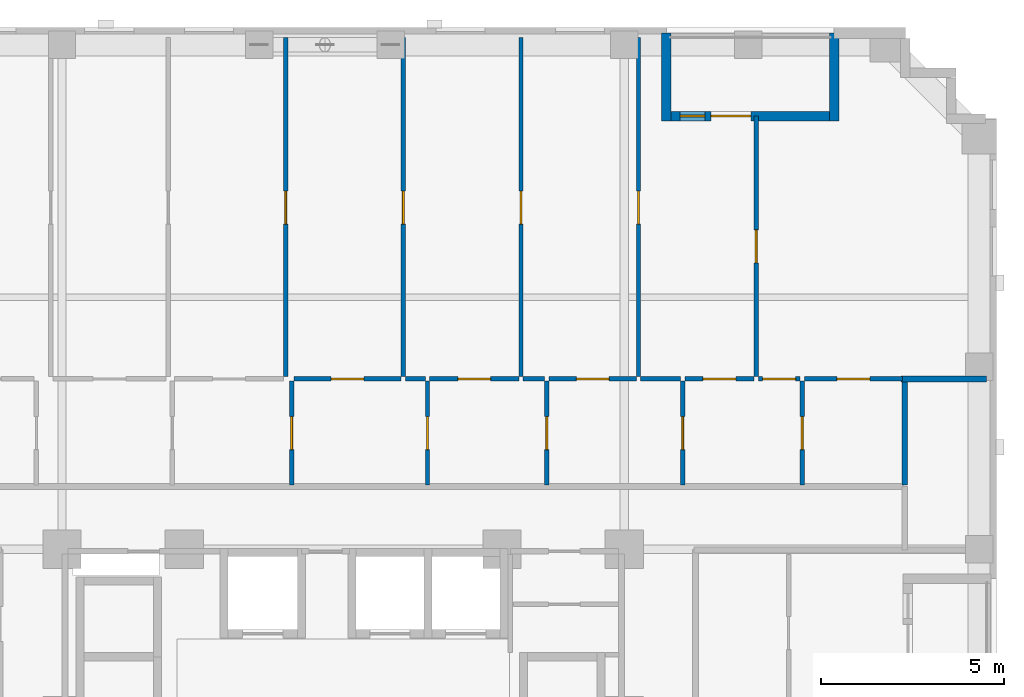
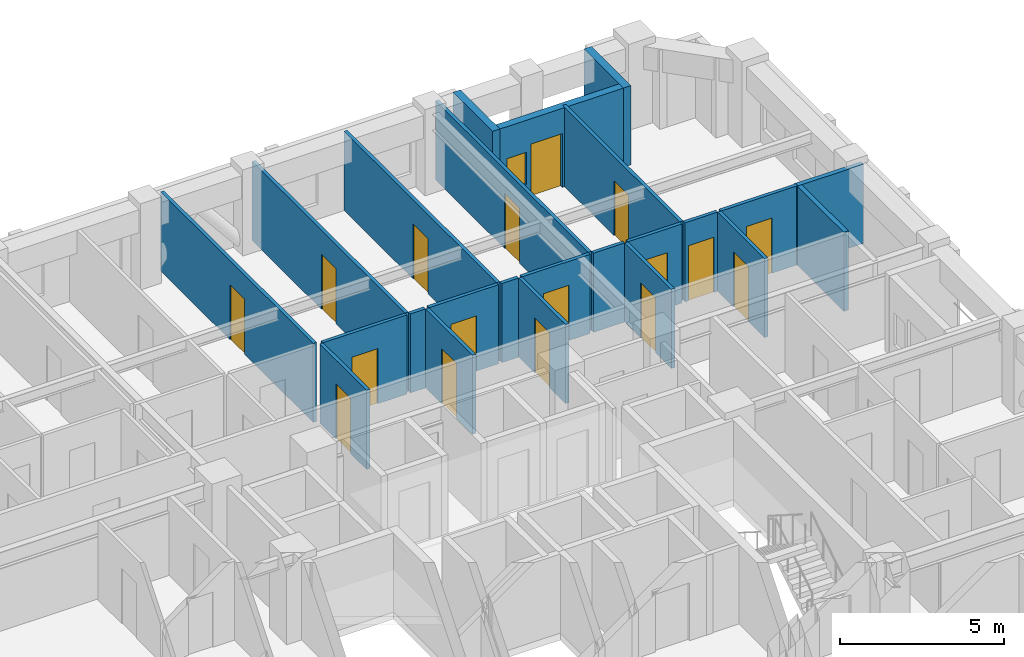
# One storey, part 8 of 13: 24 walls, 17 doors, 1 window, 18 openings.
"""IFC4 building model written with IfcOpenShell, lengths in metres."""

from ifc_helpers import new_model, si_unit, derived_unit, direction, frame, frame_2d, origin, place, context, subcontext, project, spatial, rectangle, extrude, material, layer, layer_set, type_object, element, fill, save


model = new_model("IFC4")

# Units and contexts
model_context = context("Model", 3, precision=1e-05, world=origin(), true_north=direction((0.0, 1.0)))
body_context = subcontext(model_context, "Body", "Model", "MODEL_VIEW")
ifc_project = project(units=[si_unit("LENGTHUNIT", "METRE"), si_unit("AREAUNIT", "SQUARE_METRE"), si_unit("VOLUMEUNIT", "CUBIC_METRE"), si_unit("PLANEANGLEUNIT", "RADIAN"), si_unit("MASSUNIT", "GRAM", prefix="KILO"), derived_unit("THERMALTRANSMITTANCEUNIT", [(si_unit("MASSUNIT", "GRAM", prefix="KILO"), 1), (si_unit("TIMEUNIT", "SECOND"), -3), (si_unit("THERMODYNAMICTEMPERATUREUNIT", "KELVIN"), -1)])], contexts=[model_context])

# Site, building, storey
site_placement = place(None, origin())
site = spatial("IfcSite", under=ifc_project, at=site_placement, CompositionType="ELEMENT")
building_placement = place(site_placement, origin())
building = spatial("IfcBuilding", under=site, at=building_placement, Name="Korrvale Station Residences", CompositionType="ELEMENT")
storey_placement = place(building_placement, frame((0.0, 0.0, 100.699951171875)))
storey = spatial("IfcBuildingStorey", under=building, at=storey_placement, Name="L28", CompositionType="ELEMENT", Elevation=100.699951171875)

# Wall
ifc_material_1 = material(Name="Precast concrete C45/55", Category="concrete")
ifc_layer_1 = layer(ifc_material_1, 0.260009765625, Name="Precast concrete C45/55")
ifc_layer_set_1 = layer_set([ifc_layer_1], Name="Precast concrete C45/55")
wall_type_1 = type_object("IfcWallType", Name="WAL-EXT-LOG260", PredefinedType="SOLIDWALL", material=ifc_layer_set_1)
wall_1_placement = place(storey_placement, frame((34.35009765625, 43.139892578125, 0.0), z_axis=(0.0, 0.0, 1.0), x_axis=(0.0, -1.0, 0.0)))
element("IfcWall", 1, at=wall_1_placement, inside=storey, type_object=wall_type_1, Name="L28 Recessed Loggia Wall BAL-L28-N1-L", PredefinedType="SOLIDWALL", context=body_context, shape_type="SweptSolid", body=[
    extrude(rectangle(XDim=2.39990234375, YDim=0.260009765625, at=frame_2d((1.199951171875, 0.0))), origin(), (0.0, 0.0, 1.0), 2.93994140625),
])

# Wall, openings, door, window
wall_2_placement = place(storey_placement, frame((34.48388671875, 40.8701171875, 0.0), z_axis=(0.0, 0.0, 1.0), x_axis=(1.0, 0.0, 0.0)))
wall_2 = element("IfcWall", 2, at=wall_2_placement, inside=storey, type_object=wall_type_1, Name="L28 Recessed Loggia Wall BAL-L28-N1-B", PredefinedType="SOLIDWALL", context=body_context, shape_type="SweptSolid", body=[
    extrude(rectangle(XDim=4.33203125, YDim=0.260009765625, at=frame_2d((2.166015625, 0.0))), origin(), (0.0, 0.0, 1.0), 2.93994140625),
])
opening_1_placement = place(wall_2_placement, frame((1.0859375, 0.0, 0.0)))
opening_1 = element("IfcOpeningElement", 3, at=opening_1_placement, cuts=wall_2, Name="Opening BD-01", PredefinedType="OPENING", context=body_context, shape_type="SweptSolid", body=[
    extrude(rectangle(XDim=1.10009765625, YDim=2.0, at=frame_2d((0.550048828125, 1.0))), frame((0.0, 0.14013671875, 0.0), z_axis=(0.0, -1.0, 0.0), x_axis=(1.0, 0.0, 0.0)), (0.0, 0.0, 1.0), 0.280029296875),
])
opening_2_placement = place(wall_2_placement, frame((0.24609375, 0.0, 0.550048828125)))
opening_2 = element("IfcOpeningElement", 4, at=opening_2_placement, cuts=wall_2, Name="Opening W-12", PredefinedType="OPENING", context=body_context, shape_type="SweptSolid", body=[
    extrude(rectangle(XDim=0.679931640625, YDim=1.199951171875, at=frame_2d((0.33984375, 0.60009765625))), frame((0.0, 0.14013671875, 0.0), z_axis=(0.0, -1.0, 0.0), x_axis=(1.0, 0.0, 0.0)), (0.0, 0.0, 1.0), 0.280029296875),
])
ifc_material_2 = material(Name="Exterior thermally broken aluminium glazed balcony door", Category="aluminium")
door_type_1 = type_object("IfcDoorType", Name="DR-EXT-BAL", OperationType="NOTDEFINED", PredefinedType="DOOR", material=ifc_material_2)
door_1_placement = place(opening_1_placement, origin())
door_1 = element("IfcDoor", 5, at=door_1_placement, inside=storey, type_object=door_type_1, Name="L28 Loggia Balcony Door BAL-L28-N1", OperationType="SINGLE_SWING_RIGHT", OverallHeight=2.0, OverallWidth=1.10009765625, PredefinedType="DOOR", context=body_context, shape_type="SweptSolid", body=[
    extrude(rectangle(XDim=1.10009765625, YDim=2.0, at=frame_2d((0.550048828125, 1.0))), frame((0.0, 0.02490234375, 0.0), z_axis=(0.0, -1.0, 0.0), x_axis=(1.0, 0.0, 0.0)), (0.0, 0.0, 1.0), 0.050048828125),
])
fill(opening_1, door_1)
ifc_material_3 = material(Name="Thermally broken aluminium frame with triple low-e glazing", Category="aluminium")
window_type = type_object("IfcWindowType", Name="WIN-W12", PartitioningType="SINGLE_PANEL", PredefinedType="WINDOW", material=ifc_material_3)
window_placement = place(opening_2_placement, origin())
window = element("IfcWindow", 6, at=window_placement, inside=storey, type_object=window_type, Name="L28 Punched Window 20", OverallHeight=1.199951171875, OverallWidth=0.679931640625, PartitioningType="SINGLE_PANEL", PredefinedType="WINDOW", context=body_context, shape_type="SweptSolid", body=[
    extrude(rectangle(XDim=0.679931640625, YDim=1.199951171875, at=frame_2d((0.33984375, 0.60009765625))), frame((0.0, 0.030029296875, 0.0), z_axis=(0.0, -1.0, 0.0), x_axis=(1.0, 0.0, 0.0)), (0.0, 0.0, 1.0), 0.06005859375),
])
fill(opening_2, window)

# Wall
wall_3_placement = place(storey_placement, frame((38.949951171875, 40.739990234375, 0.0), z_axis=(0.0, 0.0, 1.0), x_axis=(0.0, 1.0, 0.0)))
element("IfcWall", 7, at=wall_3_placement, inside=storey, type_object=wall_type_1, Name="L28 Recessed Loggia Wall BAL-L28-N1-R", PredefinedType="SOLIDWALL", context=body_context, shape_type="SweptSolid", body=[
    extrude(rectangle(XDim=2.39990234375, YDim=0.260009765625, at=frame_2d((1.199951171875, 0.0))), origin(), (0.0, 0.0, 1.0), 2.93994140625),
])

# Wall, opening, door
ifc_material_4 = material(Name="Acoustic steel-stud gypsum board partition", Category="steel")
ifc_layer_2 = layer(ifc_material_4, 0.1201171875, Name="Acoustic steel-stud gypsum board partition")
ifc_layer_set_2 = layer_set([ifc_layer_2], Name="Acoustic steel-stud gypsum board partition")
wall_type_2 = type_object("IfcWallType", Name="WAL-PART-125", PredefinedType="PARTITIONING", material=ifc_layer_set_2)
wall_4_placement = place(storey_placement, frame((24.090087890625, 30.760009765625, 0.0), z_axis=(0.0, 0.0, 1.0), x_axis=(0.0, 1.0, 0.0)))
wall_4 = element("IfcWall", 8, at=wall_4_placement, inside=storey, type_object=wall_type_2, Name="L28 Suite Partition U02-V34", PredefinedType="PARTITIONING", context=body_context, shape_type="SweptSolid", body=[
    extrude(rectangle(XDim=2.85009765625, YDim=0.1201171875, at=frame_2d((1.425048828125, 0.0))), origin(), (0.0, 0.0, 1.0), 2.93994140625),
])
opening_3_placement = place(wall_4_placement, frame((0.97509765625, 0.0, 0.0)))
opening_3 = element("IfcOpeningElement", 9, at=opening_3_placement, cuts=wall_4, Name="Opening DI-900", PredefinedType="OPENING", context=body_context, shape_type="SweptSolid", body=[
    extrude(rectangle(XDim=0.89990234375, YDim=2.050048828125, at=frame_2d((0.449951171875, 1.02490234375))), frame((0.0, 0.070068359375, 0.0), z_axis=(0.0, -1.0, 0.0), x_axis=(1.0, 0.0, 0.0)), (0.0, 0.0, 1.0), 0.14013671875),
])
ifc_material_5 = material(Name="Painted solid-core timber interior room door", Category="wood")
door_type_2 = type_object("IfcDoorType", Name="DR-INT-900", OperationType="NOTDEFINED", PredefinedType="DOOR", material=ifc_material_5)
door_2_placement = place(opening_3_placement, origin())
door_2 = element("IfcDoor", 10, at=door_2_placement, inside=storey, type_object=door_type_2, Name="L28 Studio Apartment L28-U02 Storage Closet 2 Door", OperationType="SINGLE_SWING_RIGHT", OverallHeight=2.050048828125, OverallWidth=0.89990234375, PredefinedType="DOOR", context=body_context, shape_type="SweptSolid", body=[
    extrude(rectangle(XDim=0.89990234375, YDim=2.050048828125, at=frame_2d((0.449951171875, 1.02490234375))), frame((0.0, 0.02490234375, 0.0), z_axis=(0.0, -1.0, 0.0), x_axis=(1.0, 0.0, 0.0)), (0.0, 0.0, 1.0), 0.050048828125),
])
fill(opening_3, door_2)

wall_5_placement = place(storey_placement, frame((27.81005859375, 30.760009765625, 0.0), z_axis=(0.0, 0.0, 1.0), x_axis=(0.0, 1.0, 0.0)))
wall_5 = element("IfcWall", 11, at=wall_5_placement, inside=storey, type_object=wall_type_2, Name="L28 Suite Partition U02-V45", PredefinedType="PARTITIONING", context=body_context, shape_type="SweptSolid", body=[
    extrude(rectangle(XDim=2.85009765625, YDim=0.1201171875, at=frame_2d((1.425048828125, 0.0))), origin(), (0.0, 0.0, 1.0), 2.93994140625),
])
opening_4_placement = place(wall_5_placement, frame((0.97509765625, 0.0, 0.0)))
opening_4 = element("IfcOpeningElement", 12, at=opening_4_placement, cuts=wall_5, Name="Opening DI-900", PredefinedType="OPENING", context=body_context, shape_type="SweptSolid", body=[
    extrude(rectangle(XDim=0.89990234375, YDim=2.050048828125, at=frame_2d((0.449951171875, 1.02490234375))), frame((0.0, 0.070068359375, 0.0), z_axis=(0.0, -1.0, 0.0), x_axis=(1.0, 0.0, 0.0)), (0.0, 0.0, 1.0), 0.14013671875),
])
door_3_placement = place(opening_4_placement, origin())
door_3 = element("IfcDoor", 13, at=door_3_placement, inside=storey, type_object=door_type_2, Name="L28 Studio Apartment L28-U02 Storage Closet 3 Door", OperationType="SINGLE_SWING_RIGHT", OverallHeight=2.050048828125, OverallWidth=0.89990234375, PredefinedType="DOOR", context=body_context, shape_type="SweptSolid", body=[
    extrude(rectangle(XDim=0.89990234375, YDim=2.050048828125, at=frame_2d((0.449951171875, 1.02490234375))), frame((0.0, 0.02490234375, 0.0), z_axis=(0.0, -1.0, 0.0), x_axis=(1.0, 0.0, 0.0)), (0.0, 0.0, 1.0), 0.050048828125),
])
fill(opening_4, door_3)

wall_6_placement = place(storey_placement, frame((24.14990234375, 33.669921875, 0.0), z_axis=(0.0, 0.0, 1.0), x_axis=(1.0, 0.0, 0.0)))
wall_6 = element("IfcWall", 14, at=wall_6_placement, inside=storey, type_object=wall_type_2, Name="L28 Suite Partition U02-H414", PredefinedType="PARTITIONING", context=body_context, shape_type="SweptSolid", body=[
    extrude(rectangle(XDim=2.940185546875, YDim=0.1201171875, at=frame_2d((1.47021484375, 0.0))), origin(), (0.0, 0.0, 1.0), 2.93994140625),
])
opening_5_placement = place(wall_6_placement, frame((1.02001953125, 0.0, 0.0)))
opening_5 = element("IfcOpeningElement", 15, at=opening_5_placement, cuts=wall_6, Name="Opening DI-900", PredefinedType="OPENING", context=body_context, shape_type="SweptSolid", body=[
    extrude(rectangle(XDim=0.89990234375, YDim=2.050048828125, at=frame_2d((0.449951171875, 1.02490234375))), frame((0.0, 0.070068359375, 0.0), z_axis=(0.0, -1.0, 0.0), x_axis=(1.0, 0.0, 0.0)), (0.0, 0.0, 1.0), 0.14013671875),
])
door_4_placement = place(opening_5_placement, origin())
door_4 = element("IfcDoor", 16, at=door_4_placement, inside=storey, type_object=door_type_2, Name="L28 Studio Apartment L28-U02 Storage Closet 3 Door", OperationType="SINGLE_SWING_LEFT", OverallHeight=2.050048828125, OverallWidth=0.89990234375, PredefinedType="DOOR", context=body_context, shape_type="SweptSolid", body=[
    extrude(rectangle(XDim=0.89990234375, YDim=2.050048828125, at=frame_2d((0.449951171875, 1.02490234375))), frame((0.0, 0.02490234375, 0.0), z_axis=(0.0, -1.0, 0.0), x_axis=(1.0, 0.0, 0.0)), (0.0, 0.0, 1.0), 0.050048828125),
])
fill(opening_5, door_4)

# Wall
wall_7_placement = place(storey_placement, frame((27.2099609375, 33.669921875, 0.0), z_axis=(0.0, 0.0, 1.0), x_axis=(1.0, 0.0, 0.0)))
element("IfcWall", 17, at=wall_7_placement, inside=storey, type_object=wall_type_2, Name="L28 Suite Partition U02-H415", PredefinedType="PARTITIONING", context=body_context, shape_type="SweptSolid", body=[
    extrude(rectangle(XDim=0.5400390625, YDim=0.1201171875, at=frame_2d((0.27001953125, 0.0))), origin(), (0.0, 0.0, 1.0), 2.93994140625),
])

# Wall, opening, door
wall_8_placement = place(storey_placement, frame((31.080078125, 30.760009765625, 0.0), z_axis=(0.0, 0.0, 1.0), x_axis=(0.0, 1.0, 0.0)))
wall_8 = element("IfcWall", 18, at=wall_8_placement, inside=storey, type_object=wall_type_2, Name="L28 Suite Partition U02-V56", PredefinedType="PARTITIONING", context=body_context, shape_type="SweptSolid", body=[
    extrude(rectangle(XDim=2.85009765625, YDim=0.1201171875, at=frame_2d((1.425048828125, 0.0))), origin(), (0.0, 0.0, 1.0), 2.93994140625),
])
opening_6_placement = place(wall_8_placement, frame((0.97509765625, 0.0, 0.0)))
opening_6 = element("IfcOpeningElement", 19, at=opening_6_placement, cuts=wall_8, Name="Opening DI-900", PredefinedType="OPENING", context=body_context, shape_type="SweptSolid", body=[
    extrude(rectangle(XDim=0.89990234375, YDim=2.050048828125, at=frame_2d((0.449951171875, 1.02490234375))), frame((0.0, 0.070068359375, 0.0), z_axis=(0.0, -1.0, 0.0), x_axis=(1.0, 0.0, 0.0)), (0.0, 0.0, 1.0), 0.14013671875),
])
door_5_placement = place(opening_6_placement, origin())
door_5 = element("IfcDoor", 20, at=door_5_placement, inside=storey, type_object=door_type_2, Name="L28 Studio Apartment L28-U02 Storage Closet 4 Door", OperationType="SINGLE_SWING_RIGHT", OverallHeight=2.050048828125, OverallWidth=0.89990234375, PredefinedType="DOOR", context=body_context, shape_type="SweptSolid", body=[
    extrude(rectangle(XDim=0.89990234375, YDim=2.050048828125, at=frame_2d((0.449951171875, 1.02490234375))), frame((0.0, 0.02490234375, 0.0), z_axis=(0.0, -1.0, 0.0), x_axis=(1.0, 0.0, 0.0)), (0.0, 0.0, 1.0), 0.050048828125),
])
fill(opening_6, door_5)

wall_9_placement = place(storey_placement, frame((27.8701171875, 33.669921875, 0.0), z_axis=(0.0, 0.0, 1.0), x_axis=(1.0, 0.0, 0.0)))
wall_9 = element("IfcWall", 21, at=wall_9_placement, inside=storey, type_object=wall_type_2, Name="L28 Suite Partition U02-H515", PredefinedType="PARTITIONING", context=body_context, shape_type="SweptSolid", body=[
    extrude(rectangle(XDim=2.43994140625, YDim=0.1201171875, at=frame_2d((1.219970703125, 0.0))), origin(), (0.0, 0.0, 1.0), 2.93994140625),
])
opening_7_placement = place(wall_9_placement, frame((0.77001953125, 0.0, 0.0)))
opening_7 = element("IfcOpeningElement", 22, at=opening_7_placement, cuts=wall_9, Name="Opening DI-900", PredefinedType="OPENING", context=body_context, shape_type="SweptSolid", body=[
    extrude(rectangle(XDim=0.89990234375, YDim=2.050048828125, at=frame_2d((0.449951171875, 1.02490234375))), frame((0.0, 0.070068359375, 0.0), z_axis=(0.0, -1.0, 0.0), x_axis=(1.0, 0.0, 0.0)), (0.0, 0.0, 1.0), 0.14013671875),
])
door_6_placement = place(opening_7_placement, origin())
door_6 = element("IfcDoor", 23, at=door_6_placement, inside=storey, type_object=door_type_2, Name="L28 Studio Apartment L28-U02 Storage Closet 4 Door", OperationType="SINGLE_SWING_LEFT", OverallHeight=2.050048828125, OverallWidth=0.89990234375, PredefinedType="DOOR", context=body_context, shape_type="SweptSolid", body=[
    extrude(rectangle(XDim=0.89990234375, YDim=2.050048828125, at=frame_2d((0.449951171875, 1.02490234375))), frame((0.0, 0.02490234375, 0.0), z_axis=(0.0, -1.0, 0.0), x_axis=(1.0, 0.0, 0.0)), (0.0, 0.0, 1.0), 0.050048828125),
])
fill(opening_7, door_6)

# Wall
wall_10_placement = place(storey_placement, frame((30.429931640625, 33.669921875, 0.0), z_axis=(0.0, 0.0, 1.0), x_axis=(1.0, 0.0, 0.0)))
element("IfcWall", 24, at=wall_10_placement, inside=storey, type_object=wall_type_2, Name="L28 Suite Partition U02-H516", PredefinedType="PARTITIONING", context=body_context, shape_type="SweptSolid", body=[
    extrude(rectangle(XDim=0.590087890625, YDim=0.1201171875, at=frame_2d((0.294921875, 0.0))), origin(), (0.0, 0.0, 1.0), 2.93994140625),
])

# Wall, opening, door
wall_11_placement = place(storey_placement, frame((34.800048828125, 30.760009765625, 0.0), z_axis=(0.0, 0.0, 1.0), x_axis=(0.0, 1.0, 0.0)))
wall_11 = element("IfcWall", 25, at=wall_11_placement, inside=storey, type_object=wall_type_2, Name="L28 Suite Partition U02-V67", PredefinedType="PARTITIONING", context=body_context, shape_type="SweptSolid", body=[
    extrude(rectangle(XDim=2.85009765625, YDim=0.1201171875, at=frame_2d((1.425048828125, 0.0))), origin(), (0.0, 0.0, 1.0), 2.93994140625),
])
opening_8_placement = place(wall_11_placement, frame((0.97509765625, 0.0, 0.0)))
opening_8 = element("IfcOpeningElement", 26, at=opening_8_placement, cuts=wall_11, Name="Opening DI-900", PredefinedType="OPENING", context=body_context, shape_type="SweptSolid", body=[
    extrude(rectangle(XDim=0.89990234375, YDim=2.050048828125, at=frame_2d((0.449951171875, 1.02490234375))), frame((0.0, 0.070068359375, 0.0), z_axis=(0.0, -1.0, 0.0), x_axis=(1.0, 0.0, 0.0)), (0.0, 0.0, 1.0), 0.14013671875),
])
door_7_placement = place(opening_8_placement, origin())
door_7 = element("IfcDoor", 27, at=door_7_placement, inside=storey, type_object=door_type_2, Name="L28 Studio Apartment L28-U02 Storage Closet 5 Door", OperationType="SINGLE_SWING_RIGHT", OverallHeight=2.050048828125, OverallWidth=0.89990234375, PredefinedType="DOOR", context=body_context, shape_type="SweptSolid", body=[
    extrude(rectangle(XDim=0.89990234375, YDim=2.050048828125, at=frame_2d((0.449951171875, 1.02490234375))), frame((0.0, 0.02490234375, 0.0), z_axis=(0.0, -1.0, 0.0), x_axis=(1.0, 0.0, 0.0)), (0.0, 0.0, 1.0), 0.050048828125),
])
fill(opening_8, door_7)

wall_12_placement = place(storey_placement, frame((31.139892578125, 33.669921875, 0.0), z_axis=(0.0, 0.0, 1.0), x_axis=(1.0, 0.0, 0.0)))
wall_12 = element("IfcWall", 28, at=wall_12_placement, inside=storey, type_object=wall_type_2, Name="L28 Suite Partition U02-H616", PredefinedType="PARTITIONING", context=body_context, shape_type="SweptSolid", body=[
    extrude(rectangle(XDim=2.39013671875, YDim=0.1201171875, at=frame_2d((1.195068359375, 0.0))), origin(), (0.0, 0.0, 1.0), 2.93994140625),
])
opening_9_placement = place(wall_12_placement, frame((0.7451171875, 0.0, 0.0)))
opening_9 = element("IfcOpeningElement", 29, at=opening_9_placement, cuts=wall_12, Name="Opening DI-900", PredefinedType="OPENING", context=body_context, shape_type="SweptSolid", body=[
    extrude(rectangle(XDim=0.89990234375, YDim=2.050048828125, at=frame_2d((0.449951171875, 1.02490234375))), frame((0.0, 0.070068359375, 0.0), z_axis=(0.0, -1.0, 0.0), x_axis=(1.0, 0.0, 0.0)), (0.0, 0.0, 1.0), 0.14013671875),
])
door_8_placement = place(opening_9_placement, origin())
door_8 = element("IfcDoor", 30, at=door_8_placement, inside=storey, type_object=door_type_2, Name="L28 Studio Apartment L28-U02 Storage Closet 5 Door", OperationType="SINGLE_SWING_LEFT", OverallHeight=2.050048828125, OverallWidth=0.89990234375, PredefinedType="DOOR", context=body_context, shape_type="SweptSolid", body=[
    extrude(rectangle(XDim=0.89990234375, YDim=2.050048828125, at=frame_2d((0.449951171875, 1.02490234375))), frame((0.0, 0.02490234375, 0.0), z_axis=(0.0, -1.0, 0.0), x_axis=(1.0, 0.0, 0.0)), (0.0, 0.0, 1.0), 0.050048828125),
])
fill(opening_9, door_8)

# Wall
wall_13_placement = place(storey_placement, frame((33.64990234375, 33.669921875, 0.0), z_axis=(0.0, 0.0, 1.0), x_axis=(1.0, 0.0, 0.0)))
element("IfcWall", 31, at=wall_13_placement, inside=storey, type_object=wall_type_2, Name="L28 Suite Partition U02-H617", PredefinedType="PARTITIONING", context=body_context, shape_type="SweptSolid", body=[
    extrude(rectangle(XDim=1.090087890625, YDim=0.1201171875, at=frame_2d((0.544921875, 0.0))), origin(), (0.0, 0.0, 1.0), 2.93994140625),
])

# Wall, opening, door
wall_14_placement = place(storey_placement, frame((38.070068359375, 30.760009765625, 0.0), z_axis=(0.0, 0.0, 1.0), x_axis=(0.0, 1.0, 0.0)))
wall_14 = element("IfcWall", 32, at=wall_14_placement, inside=storey, type_object=wall_type_2, Name="L28 Suite Partition U02-V78", PredefinedType="PARTITIONING", context=body_context, shape_type="SweptSolid", body=[
    extrude(rectangle(XDim=2.85009765625, YDim=0.1201171875, at=frame_2d((1.425048828125, 0.0))), origin(), (0.0, 0.0, 1.0), 2.93994140625),
])
opening_10_placement = place(wall_14_placement, frame((0.97509765625, 0.0, 0.0)))
opening_10 = element("IfcOpeningElement", 33, at=opening_10_placement, cuts=wall_14, Name="Opening DI-900", PredefinedType="OPENING", context=body_context, shape_type="SweptSolid", body=[
    extrude(rectangle(XDim=0.89990234375, YDim=2.050048828125, at=frame_2d((0.449951171875, 1.02490234375))), frame((0.0, 0.070068359375, 0.0), z_axis=(0.0, -1.0, 0.0), x_axis=(1.0, 0.0, 0.0)), (0.0, 0.0, 1.0), 0.14013671875),
])
door_9_placement = place(opening_10_placement, origin())
door_9 = element("IfcDoor", 34, at=door_9_placement, inside=storey, type_object=door_type_2, Name="L28 Studio Apartment L28-U02 Storage Closet 6 Door", OperationType="SINGLE_SWING_RIGHT", OverallHeight=2.050048828125, OverallWidth=0.89990234375, PredefinedType="DOOR", context=body_context, shape_type="SweptSolid", body=[
    extrude(rectangle(XDim=0.89990234375, YDim=2.050048828125, at=frame_2d((0.449951171875, 1.02490234375))), frame((0.0, 0.02490234375, 0.0), z_axis=(0.0, -1.0, 0.0), x_axis=(1.0, 0.0, 0.0)), (0.0, 0.0, 1.0), 0.050048828125),
])
fill(opening_10, door_9)

wall_15_placement = place(storey_placement, frame((34.860107421875, 33.669921875, 0.0), z_axis=(0.0, 0.0, 1.0), x_axis=(1.0, 0.0, 0.0)))
wall_15 = element("IfcWall", 35, at=wall_15_placement, inside=storey, type_object=wall_type_2, Name="L28 Suite Partition U02-H717", PredefinedType="PARTITIONING", context=body_context, shape_type="SweptSolid", body=[
    extrude(rectangle(XDim=1.889892578125, YDim=0.1201171875, at=frame_2d((0.94482421875, 0.0))), origin(), (0.0, 0.0, 1.0), 2.93994140625),
])
opening_11_placement = place(wall_15_placement, frame((0.4951171875, 0.0, 0.0)))
opening_11 = element("IfcOpeningElement", 36, at=opening_11_placement, cuts=wall_15, Name="Opening DI-900", PredefinedType="OPENING", context=body_context, shape_type="SweptSolid", body=[
    extrude(rectangle(XDim=0.89990234375, YDim=2.050048828125, at=frame_2d((0.449951171875, 1.02490234375))), frame((0.0, 0.070068359375, 0.0), z_axis=(0.0, -1.0, 0.0), x_axis=(1.0, 0.0, 0.0)), (0.0, 0.0, 1.0), 0.14013671875),
])
door_10_placement = place(opening_11_placement, origin())
door_10 = element("IfcDoor", 37, at=door_10_placement, inside=storey, type_object=door_type_2, Name="L28 Studio Apartment L28-U02 Storage Closet 6 Door", OperationType="SINGLE_SWING_LEFT", OverallHeight=2.050048828125, OverallWidth=0.89990234375, PredefinedType="DOOR", context=body_context, shape_type="SweptSolid", body=[
    extrude(rectangle(XDim=0.89990234375, YDim=2.050048828125, at=frame_2d((0.449951171875, 1.02490234375))), frame((0.0, 0.02490234375, 0.0), z_axis=(0.0, -1.0, 0.0), x_axis=(1.0, 0.0, 0.0)), (0.0, 0.0, 1.0), 0.050048828125),
])
fill(opening_11, door_10)

wall_16_placement = place(storey_placement, frame((36.8701171875, 33.669921875, 0.0), z_axis=(0.0, 0.0, 1.0), x_axis=(1.0, 0.0, 0.0)))
wall_16 = element("IfcWall", 38, at=wall_16_placement, inside=storey, type_object=wall_type_2, Name="L28 Suite Partition U02-H718", PredefinedType="PARTITIONING", context=body_context, shape_type="SweptSolid", body=[
    extrude(rectangle(XDim=1.139892578125, YDim=0.1201171875, at=frame_2d((0.56982421875, 0.0))), origin(), (0.0, 0.0, 1.0), 2.93994140625),
])
opening_12_placement = place(wall_16_placement, frame((0.1201171875, 0.0, 0.0)))
opening_12 = element("IfcOpeningElement", 39, at=opening_12_placement, cuts=wall_16, Name="Opening DI-900", PredefinedType="OPENING", context=body_context, shape_type="SweptSolid", body=[
    extrude(rectangle(XDim=0.89990234375, YDim=2.050048828125, at=frame_2d((0.449951171875, 1.02490234375))), frame((0.0, 0.070068359375, 0.0), z_axis=(0.0, -1.0, 0.0), x_axis=(1.0, 0.0, 0.0)), (0.0, 0.0, 1.0), 0.14013671875),
])
door_11_placement = place(opening_12_placement, origin())
door_11 = element("IfcDoor", 40, at=door_11_placement, inside=storey, type_object=door_type_2, Name="L28 Studio Apartment L28-U02 Storage Closet 6 Door", OperationType="SINGLE_SWING_RIGHT", OverallHeight=2.050048828125, OverallWidth=0.89990234375, PredefinedType="DOOR", context=body_context, shape_type="SweptSolid", body=[
    extrude(rectangle(XDim=0.89990234375, YDim=2.050048828125, at=frame_2d((0.449951171875, 1.02490234375))), frame((0.0, 0.02490234375, 0.0), z_axis=(0.0, -1.0, 0.0), x_axis=(1.0, 0.0, 0.0)), (0.0, 0.0, 1.0), 0.050048828125),
])
fill(opening_12, door_11)

wall_17_placement = place(storey_placement, frame((38.1298828125, 33.669921875, 0.0), z_axis=(0.0, 0.0, 1.0), x_axis=(1.0, 0.0, 0.0)))
wall_17 = element("IfcWall", 41, at=wall_17_placement, inside=storey, type_object=wall_type_2, Name="L28 Suite Partition U02-H818", PredefinedType="PARTITIONING", context=body_context, shape_type="SweptSolid", body=[
    extrude(rectangle(XDim=2.690185546875, YDim=0.1201171875, at=frame_2d((1.34521484375, 0.0))), origin(), (0.0, 0.0, 1.0), 2.93994140625),
])
opening_13_placement = place(wall_17_placement, frame((0.89501953125, 0.0, 0.0)))
opening_13 = element("IfcOpeningElement", 42, at=opening_13_placement, cuts=wall_17, Name="Opening DI-900", PredefinedType="OPENING", context=body_context, shape_type="SweptSolid", body=[
    extrude(rectangle(XDim=0.89990234375, YDim=2.050048828125, at=frame_2d((0.449951171875, 1.02490234375))), frame((0.0, 0.070068359375, 0.0), z_axis=(0.0, -1.0, 0.0), x_axis=(1.0, 0.0, 0.0)), (0.0, 0.0, 1.0), 0.14013671875),
])
door_12_placement = place(opening_13_placement, origin())
door_12 = element("IfcDoor", 43, at=door_12_placement, inside=storey, type_object=door_type_2, Name="L28 Studio Apartment L28-U02 Storage Closet 7 Door", OperationType="SINGLE_SWING_LEFT", OverallHeight=2.050048828125, OverallWidth=0.89990234375, PredefinedType="DOOR", context=body_context, shape_type="SweptSolid", body=[
    extrude(rectangle(XDim=0.89990234375, YDim=2.050048828125, at=frame_2d((0.449951171875, 1.02490234375))), frame((0.0, 0.02490234375, 0.0), z_axis=(0.0, -1.0, 0.0), x_axis=(1.0, 0.0, 0.0)), (0.0, 0.0, 1.0), 0.050048828125),
])
fill(opening_13, door_12)

wall_18_placement = place(storey_placement, frame((23.929931640625, 33.72998046875, 0.0), z_axis=(0.0, 0.0, 1.0), x_axis=(0.0, 1.0, 0.0)))
wall_18 = element("IfcWall", 44, at=wall_18_placement, inside=storey, type_object=wall_type_2, Name="L28 Suite Partition U02-V1314", PredefinedType="PARTITIONING", context=body_context, shape_type="SweptSolid", body=[
    extrude(rectangle(XDim=9.2900390625, YDim=0.1201171875, at=frame_2d((4.64501953125, 0.0))), origin(), (0.0, 0.0, 1.0), 2.93994140625),
])
opening_14_placement = place(wall_18_placement, frame((4.179931640625, 0.0, 0.0)))
opening_14 = element("IfcOpeningElement", 45, at=opening_14_placement, cuts=wall_18, Name="Opening DI-900", PredefinedType="OPENING", context=body_context, shape_type="SweptSolid", body=[
    extrude(rectangle(XDim=0.89990234375, YDim=2.050048828125, at=frame_2d((0.449951171875, 1.02490234375))), frame((0.0, 0.070068359375, 0.0), z_axis=(0.0, -1.0, 0.0), x_axis=(1.0, 0.0, 0.0)), (0.0, 0.0, 1.0), 0.14013671875),
])
door_13_placement = place(opening_14_placement, origin())
door_13 = element("IfcDoor", 46, at=door_13_placement, inside=storey, type_object=door_type_2, Name="L28 Studio Apartment L28-U02 Formal Dining Room Door", OperationType="SINGLE_SWING_RIGHT", OverallHeight=2.050048828125, OverallWidth=0.89990234375, PredefinedType="DOOR", context=body_context, shape_type="SweptSolid", body=[
    extrude(rectangle(XDim=0.89990234375, YDim=2.050048828125, at=frame_2d((0.449951171875, 1.02490234375))), frame((0.0, 0.02490234375, 0.0), z_axis=(0.0, -1.0, 0.0), x_axis=(1.0, 0.0, 0.0)), (0.0, 0.0, 1.0), 0.050048828125),
])
fill(opening_14, door_13)

wall_19_placement = place(storey_placement, frame((27.14990234375, 33.72998046875, 0.0), z_axis=(0.0, 0.0, 1.0), x_axis=(0.0, 1.0, 0.0)))
wall_19 = element("IfcWall", 47, at=wall_19_placement, inside=storey, type_object=wall_type_2, Name="L28 Suite Partition U02-V1415", PredefinedType="PARTITIONING", context=body_context, shape_type="SweptSolid", body=[
    extrude(rectangle(XDim=9.2900390625, YDim=0.1201171875, at=frame_2d((4.64501953125, 0.0))), origin(), (0.0, 0.0, 1.0), 2.93994140625),
])
opening_15_placement = place(wall_19_placement, frame((4.179931640625, 0.0, 0.0)))
opening_15 = element("IfcOpeningElement", 48, at=opening_15_placement, cuts=wall_19, Name="Opening DI-900", PredefinedType="OPENING", context=body_context, shape_type="SweptSolid", body=[
    extrude(rectangle(XDim=0.89990234375, YDim=2.050048828125, at=frame_2d((0.449951171875, 1.02490234375))), frame((0.0, 0.070068359375, 0.0), z_axis=(0.0, -1.0, 0.0), x_axis=(1.0, 0.0, 0.0)), (0.0, 0.0, 1.0), 0.14013671875),
])
door_14_placement = place(opening_15_placement, origin())
door_14 = element("IfcDoor", 49, at=door_14_placement, inside=storey, type_object=door_type_2, Name="L28 Studio Apartment L28-U02 Walk-In Wardrobe Door", OperationType="SINGLE_SWING_LEFT", OverallHeight=2.050048828125, OverallWidth=0.89990234375, PredefinedType="DOOR", context=body_context, shape_type="SweptSolid", body=[
    extrude(rectangle(XDim=0.89990234375, YDim=2.050048828125, at=frame_2d((0.449951171875, 1.02490234375))), frame((0.0, 0.02490234375, 0.0), z_axis=(0.0, -1.0, 0.0), x_axis=(1.0, 0.0, 0.0)), (0.0, 0.0, 1.0), 0.050048828125),
])
fill(opening_15, door_14)

wall_20_placement = place(storey_placement, frame((30.3701171875, 33.72998046875, 0.0), z_axis=(0.0, 0.0, 1.0), x_axis=(0.0, 1.0, 0.0)))
wall_20 = element("IfcWall", 50, at=wall_20_placement, inside=storey, type_object=wall_type_2, Name="L28 Suite Partition U02-V1516", PredefinedType="PARTITIONING", context=body_context, shape_type="SweptSolid", body=[
    extrude(rectangle(XDim=9.2900390625, YDim=0.1201171875, at=frame_2d((4.64501953125, 0.0))), origin(), (0.0, 0.0, 1.0), 2.93994140625),
])
opening_16_placement = place(wall_20_placement, frame((4.179931640625, 0.0, 0.0)))
opening_16 = element("IfcOpeningElement", 51, at=opening_16_placement, cuts=wall_20, Name="Opening DI-900", PredefinedType="OPENING", context=body_context, shape_type="SweptSolid", body=[
    extrude(rectangle(XDim=0.89990234375, YDim=2.050048828125, at=frame_2d((0.449951171875, 1.02490234375))), frame((0.0, 0.070068359375, 0.0), z_axis=(0.0, -1.0, 0.0), x_axis=(1.0, 0.0, 0.0)), (0.0, 0.0, 1.0), 0.14013671875),
])
door_15_placement = place(opening_16_placement, origin())
door_15 = element("IfcDoor", 52, at=door_15_placement, inside=storey, type_object=door_type_2, Name="L28 Studio Apartment L28-U02 Formal Dining Room Door", OperationType="SINGLE_SWING_RIGHT", OverallHeight=2.050048828125, OverallWidth=0.89990234375, PredefinedType="DOOR", context=body_context, shape_type="SweptSolid", body=[
    extrude(rectangle(XDim=0.89990234375, YDim=2.050048828125, at=frame_2d((0.449951171875, 1.02490234375))), frame((0.0, 0.02490234375, 0.0), z_axis=(0.0, -1.0, 0.0), x_axis=(1.0, 0.0, 0.0)), (0.0, 0.0, 1.0), 0.050048828125),
])
fill(opening_16, door_15)

wall_21_placement = place(storey_placement, frame((33.590087890625, 33.72998046875, 0.0), z_axis=(0.0, 0.0, 1.0), x_axis=(0.0, 1.0, 0.0)))
wall_21 = element("IfcWall", 53, at=wall_21_placement, inside=storey, type_object=wall_type_2, Name="L28 Suite Partition U02-V1617", PredefinedType="PARTITIONING", context=body_context, shape_type="SweptSolid", body=[
    extrude(rectangle(XDim=9.2900390625, YDim=0.1201171875, at=frame_2d((4.64501953125, 0.0))), origin(), (0.0, 0.0, 1.0), 2.93994140625),
])
opening_17_placement = place(wall_21_placement, frame((4.179931640625, 0.0, 0.0)))
opening_17 = element("IfcOpeningElement", 54, at=opening_17_placement, cuts=wall_21, Name="Opening DI-900", PredefinedType="OPENING", context=body_context, shape_type="SweptSolid", body=[
    extrude(rectangle(XDim=0.89990234375, YDim=2.050048828125, at=frame_2d((0.449951171875, 1.02490234375))), frame((0.0, 0.070068359375, 0.0), z_axis=(0.0, -1.0, 0.0), x_axis=(1.0, 0.0, 0.0)), (0.0, 0.0, 1.0), 0.14013671875),
])
door_16_placement = place(opening_17_placement, origin())
door_16 = element("IfcDoor", 55, at=door_16_placement, inside=storey, type_object=door_type_2, Name="L28 Studio Apartment L28-U02 Formal Dining Room Door", OperationType="SINGLE_SWING_LEFT", OverallHeight=2.050048828125, OverallWidth=0.89990234375, PredefinedType="DOOR", context=body_context, shape_type="SweptSolid", body=[
    extrude(rectangle(XDim=0.89990234375, YDim=2.050048828125, at=frame_2d((0.449951171875, 1.02490234375))), frame((0.0, 0.02490234375, 0.0), z_axis=(0.0, -1.0, 0.0), x_axis=(1.0, 0.0, 0.0)), (0.0, 0.0, 1.0), 0.050048828125),
])
fill(opening_17, door_16)

wall_22_placement = place(storey_placement, frame((36.81005859375, 33.72998046875, 0.0), z_axis=(0.0, 0.0, 1.0), x_axis=(0.0, 1.0, 0.0)))
wall_22 = element("IfcWall", 56, at=wall_22_placement, inside=storey, type_object=wall_type_2, Name="L28 Suite Partition U02-V1718", PredefinedType="PARTITIONING", context=body_context, shape_type="SweptSolid", body=[
    extrude(rectangle(XDim=7.14013671875, YDim=0.1201171875, at=frame_2d((3.570068359375, 0.0))), origin(), (0.0, 0.0, 1.0), 2.93994140625),
])
opening_18_placement = place(wall_22_placement, frame((3.1201171875, 0.0, 0.0)))
opening_18 = element("IfcOpeningElement", 57, at=opening_18_placement, cuts=wall_22, Name="Opening DI-900", PredefinedType="OPENING", context=body_context, shape_type="SweptSolid", body=[
    extrude(rectangle(XDim=0.89990234375, YDim=2.050048828125, at=frame_2d((0.449951171875, 1.02490234375))), frame((0.0, 0.070068359375, 0.0), z_axis=(0.0, -1.0, 0.0), x_axis=(1.0, 0.0, 0.0)), (0.0, 0.0, 1.0), 0.14013671875),
])
door_17_placement = place(opening_18_placement, origin())
door_17 = element("IfcDoor", 58, at=door_17_placement, inside=storey, type_object=door_type_2, Name="L28 Studio Apartment L28-U02 Formal Dining Room Door", OperationType="SINGLE_SWING_RIGHT", OverallHeight=2.050048828125, OverallWidth=0.89990234375, PredefinedType="DOOR", context=body_context, shape_type="SweptSolid", body=[
    extrude(rectangle(XDim=0.89990234375, YDim=2.050048828125, at=frame_2d((0.449951171875, 1.02490234375))), frame((0.0, 0.02490234375, 0.0), z_axis=(0.0, -1.0, 0.0), x_axis=(1.0, 0.0, 0.0)), (0.0, 0.0, 1.0), 0.050048828125),
])
fill(opening_18, door_17)

# Walls
ifc_material_6 = material(Name="Fire-rated twin-stud gypsum and mineral wool shaftwall assembly", Category="gypsum")
ifc_layer_3 = layer(ifc_material_6, 0.159912109375, Name="Fire-rated twin-stud gypsum and mineral wool shaftwall assembly")
ifc_layer_set_3 = layer_set([ifc_layer_3], Name="Fire-rated twin-stud gypsum and mineral wool shaftwall assembly")
wall_type_3 = type_object("IfcWallType", Name="WAL-PART-200", PredefinedType="PARTITIONING", material=ifc_layer_set_3)
wall_23_placement = place(storey_placement, frame((40.780029296875, 33.669921875, 0.0), z_axis=(0.0, 0.0, 1.0), x_axis=(1.0, 0.0, 0.0)))
element("IfcWall", 59, at=wall_23_placement, inside=storey, type_object=wall_type_3, Name="L28 Corner Step Wall U02-R", PredefinedType="PARTITIONING", context=body_context, shape_type="SweptSolid", body=[
    extrude(rectangle(XDim=2.340087890625, YDim=0.159912109375, at=frame_2d((1.169921875, 0.0))), origin(), (0.0, 0.0, 1.0), 2.93994140625),
])
wall_24_placement = place(storey_placement, frame((40.8798828125, 30.760009765625, 0.0), z_axis=(0.0, 0.0, 1.0), x_axis=(0.0, 1.0, 0.0)))
element("IfcWall", 60, at=wall_24_placement, inside=storey, type_object=wall_type_3, Name="L28 Corner Step Cheek U02-R", PredefinedType="PARTITIONING", context=body_context, shape_type="SweptSolid", body=[
    extrude(rectangle(XDim=2.909912109375, YDim=0.159912109375, at=frame_2d((1.455078125, 0.0))), origin(), (0.0, 0.0, 1.0), 2.93994140625),
])

save(model, "model.ifc")
